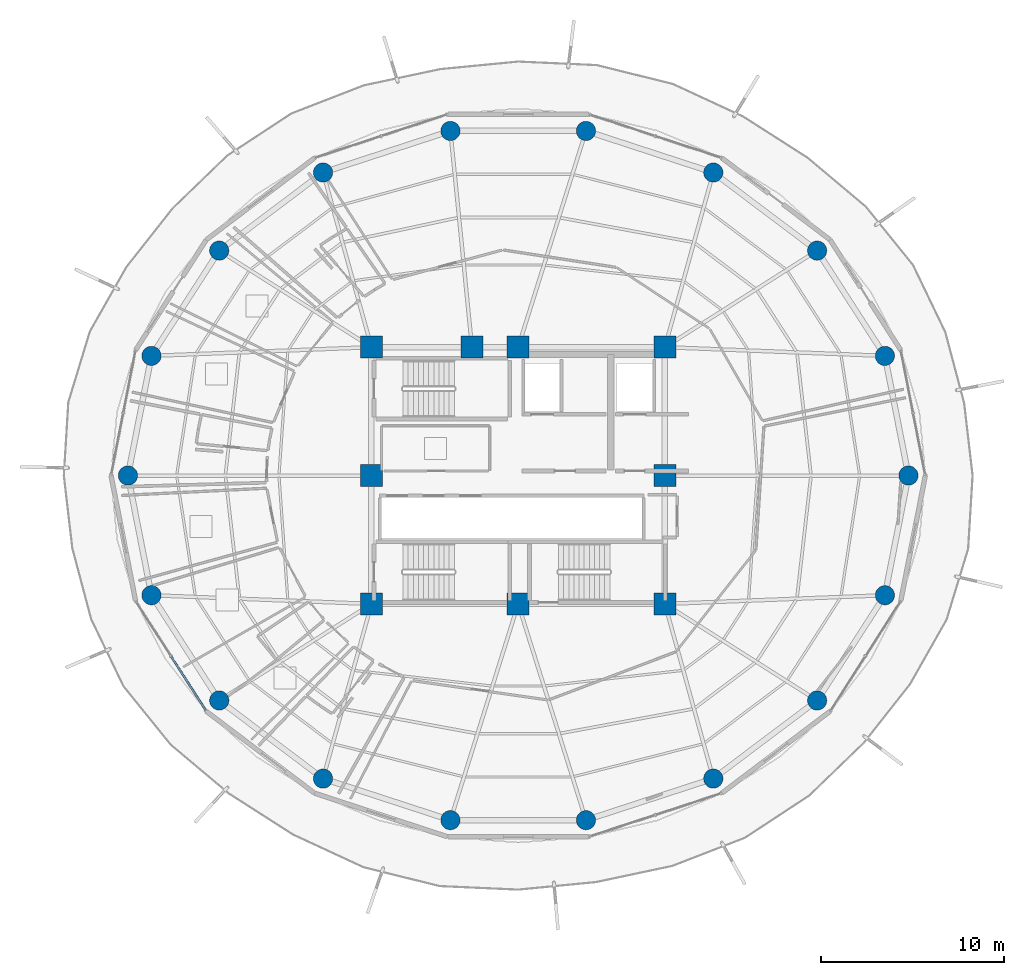
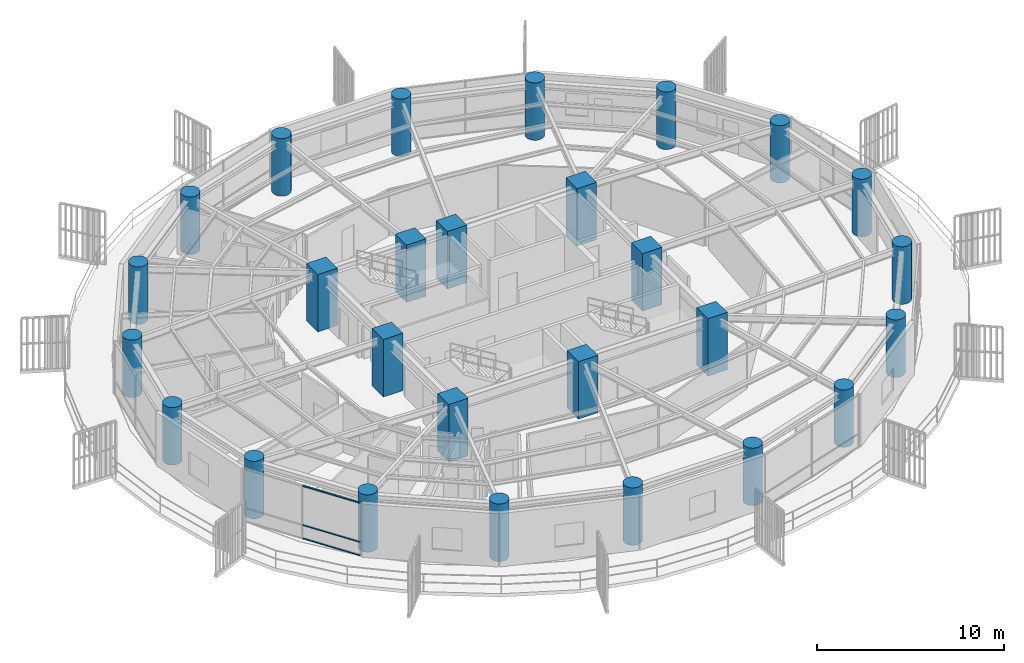
# One storey, part 1 of 30: 27 columns, 3 members, 1 element without a shape of its own.
"""IFC4 building model written with IfcOpenShell, lengths in metres."""

from ifc_helpers import new_model, si_unit, direction, frame, origin, origin_2d, place, context, subcontext, project, spatial, rectangle, hollow_rectangle, circle, extrude, material, layer, layer_set, material_profile, profile_set, type_object, element, aggregate, save


model = new_model("IFC4")

# Units and contexts
model_context = context("Model", 3, precision=1e-05, world=origin(), true_north=direction((0.0, 1.0)))
body_context = subcontext(model_context, "Body", "Model", "MODEL_VIEW")
ifc_project = project(units=[si_unit("LENGTHUNIT", "METRE"), si_unit("AREAUNIT", "SQUARE_METRE"), si_unit("VOLUMEUNIT", "CUBIC_METRE"), si_unit("PLANEANGLEUNIT", "RADIAN"), si_unit("MASSUNIT", "GRAM", prefix="KILO")], contexts=[model_context])

# Site, building, storey
site_placement = place(None, origin())
site = spatial("IfcSite", under=ifc_project, at=site_placement, CompositionType="ELEMENT")
building_placement = place(site_placement, origin())
building = spatial("IfcBuilding", under=site, at=building_placement, Name="Kelanora Arch Commons", CompositionType="ELEMENT")
storey_placement = place(building_placement, frame((0.0, 0.0, 204.449951171875)))
storey = spatial("IfcBuildingStorey", under=building, at=storey_placement, Name="L52", CompositionType="ELEMENT", Elevation=204.449951171875)

# Columns
ifc_material_1 = material(Name="Concrete C50/60", Category="concrete")
ifc_material_profile_1 = material_profile(ifc_material_1, circle(Radius=0.52490234375, at=origin_2d()), Name="RCC1050")
ifc_profile_set_1 = profile_set([ifc_material_profile_1], Name="Concrete C50/60")
column_type_1 = type_object("IfcColumnType", Name="COL-PERIM-Z4", PredefinedType="COLUMN", material=ifc_profile_set_1)
for number, where, z_axis, x_axis, name in (
    (1, (95.280029296875, 58.0, 0.0), (0.0, 0.0, 1.0), (1.0, 0.0, 0.0), "Perimeter Ring Column CP-00 L52"),
    (2, (93.99658203125, 64.525634765625, 0.0), (0.0, 0.0, 1.0), (1.0, 0.0, 0.0), "Perimeter Ring Column CP-02 L52"),
    (3, (90.301513671875, 70.264404296875, 0.0), (0.0, 0.0, 1.0), (1.0, 0.0, 0.0), "Perimeter Ring Column CP-04 L52"),
    (4, (84.639892578125, 74.523681640625, 0.0), (0.0, 0.0, 1.0), (1.0, 0.0, 0.0), "Perimeter Ring Column CP-06 L52"),
    (5, (77.6953125, 76.7900390625, 0.0), (0.0, 0.0, 1.0), (1.0, 0.0, 0.0), "Perimeter Ring Column CP-08 L52"),
    (6, (70.3046875, 76.7900390625, 0.0), (0.0, 0.0, 1.0), (1.0, 0.0, 0.0), "Perimeter Ring Column CP-10 L52"),
    (7, (63.360107421875, 74.523681640625, 0.0), (0.0, 0.0, 1.0), (1.0, 0.0, 0.0), "Perimeter Ring Column CP-12 L52"),
    (8, (57.698486328125, 70.264404296875, 0.0), (0.0, 0.0, 1.0), (1.0, 0.0, 0.0), "Perimeter Ring Column CP-14 L52"),
    (9, (54.00341796875, 64.525634765625, 0.0), (0.0, 0.0, 1.0), (1.0, 0.0, 0.0), "Perimeter Ring Column CP-16 L52"),
    (10, (52.719970703125, 58.0, 0.0), (0.0, 0.0, 1.0), (1.0, 0.0, 0.0), "Perimeter Ring Column CP-18 L52"),
    (11, (54.00341796875, 51.474365234375, 0.0), (0.0, 0.0, 1.0), (1.0, 0.0, 0.0), "Perimeter Ring Column CP-20 L52"),
    (12, (57.698486328125, 45.735595703125, 0.0), (0.0, 0.0, 1.0), (1.0, 0.0, 0.0), "Perimeter Ring Column CP-22 L52"),
    (13, (63.360107421875, 41.476318359375, 0.0), (0.0, 0.0, 1.0), (1.0, 0.0, 0.0), "Perimeter Ring Column CP-24 L52"),
    (14, (70.3046875, 39.2099609375, 0.0), (0.0, 0.0, 1.0), (1.0, 0.0, 0.0), "Perimeter Ring Column CP-26 L52"),
    (15, (77.6953125, 39.2099609375, 0.0), (0.0, 0.0, 1.0), (1.0, 0.0, 0.0), "Perimeter Ring Column CP-28 L52"),
    (16, (84.639892578125, 41.476318359375, 0.0), (0.0, 0.0, 1.0), (1.0, 0.0, 0.0), "Perimeter Ring Column CP-30 L52"),
    (17, (90.301513671875, 45.735595703125, 0.0), (0.0, 0.0, 1.0), (1.0, 0.0, 0.0), "Perimeter Ring Column CP-32 L52"),
    (18, (93.99658203125, 51.474365234375, 0.0), (0.0, 0.0, 1.0), (1.0, 0.0, 0.0), "Perimeter Ring Column CP-34 L52"),
):
    element("IfcColumn", number, at=place(storey_placement, frame(where, z_axis=z_axis, x_axis=x_axis)), inside=storey, type_object=column_type_1, Name=name, PredefinedType="COLUMN", context=body_context, shape_type="SweptSolid", body=[
        extrude(circle(Radius=0.52490234375, at=origin_2d()), origin(), (0.0, 0.0, 1.0), 3.75),
    ])
ifc_material_2 = material(Name="Concrete C60/75", Category="concrete")
ifc_material_profile_2 = material_profile(ifc_material_2, rectangle(XDim=1.199951171875, YDim=1.199951171875, at=origin_2d()), Name="RC1200x1200")
ifc_profile_set_2 = profile_set([ifc_material_profile_2], Name="Concrete C60/75")
column_type_2 = type_object("IfcColumnType", Name="COL-PIL-MID", PredefinedType="PILASTER", material=ifc_profile_set_2)
for number, where, z_axis, x_axis, name in (
    (19, (66.0, 51.0, 0.0), (0.0, 0.0, 1.0), (1.0, 0.0, 0.0), "Core Pilaster Column CP1 L52"),
    (20, (74.0, 51.0, 0.0), (0.0, 0.0, 1.0), (1.0, 0.0, 0.0), "Core Pilaster Column CP2 L52"),
    (21, (82.0, 51.0, 0.0), (0.0, 0.0, 1.0), (1.0, 0.0, 0.0), "Core Pilaster Column CP3 L52"),
    (22, (82.0, 58.0, 0.0), (0.0, 0.0, 1.0), (1.0, 0.0, 0.0), "Core Pilaster Column CP4 L52"),
    (23, (82.0, 65.0, 0.0), (0.0, 0.0, 1.0), (1.0, 0.0, 0.0), "Core Pilaster Column CP5 L52"),
    (24, (74.0, 65.0, 0.0), (0.0, 0.0, 1.0), (1.0, 0.0, 0.0), "Core Pilaster Column CP6 L52"),
    (25, (71.47998046875, 65.0, 0.0), (0.0, 0.0, 1.0), (1.0, 0.0, 0.0), "Core Pilaster Column CP9 L52"),
    (26, (66.0, 65.0, 0.0), (0.0, 0.0, 1.0), (1.0, 0.0, 0.0), "Core Pilaster Column CP7 L52"),
    (27, (66.0, 58.0, 0.0), (0.0, 0.0, 1.0), (1.0, 0.0, 0.0), "Core Pilaster Column CP8 L52"),
):
    element("IfcColumn", number, at=place(storey_placement, frame(where, z_axis=z_axis, x_axis=x_axis)), inside=storey, type_object=column_type_2, Name=name, PredefinedType="PILASTER", context=body_context, shape_type="SweptSolid", body=[
        extrude(rectangle(XDim=1.199951171875, YDim=1.199951171875, at=origin_2d()), origin(), (0.0, 0.0, 1.0), 3.75),
    ])

# Curtain wall, members
ifc_material_3 = material(Name="Terracotta ceramic-fritted low-E glass and aluminium", Category="masonry")
ifc_layer = layer(ifc_material_3, 0.175048828125)
ifc_layer_set = layer_set([ifc_layer], Name="Terracotta ceramic-fritted low-E glass and aluminium")
curtain_wall_type = type_object("IfcCurtainWallType", Name="CW-SYS-02", PredefinedType="NOTDEFINED", material=ifc_layer_set)
curtain_wall_placement = place(storey_placement, origin())
curtain_wall = element("IfcCurtainWall", 28, at=curtain_wall_placement, inside=storey, type_object=curtain_wall_type, Name="Unitised Curtain Wall L52-B10", PredefinedType="NOTDEFINED")
ifc_material_4 = material(Name="Powder-coated aluminium terracotta", Category="masonry")
ifc_material_profile_3 = material_profile(ifc_material_4, hollow_rectangle(XDim=0.1201171875, YDim=0.06005859375, WallThickness=0.0048828125, InnerFilletRadius=0.0048828125, OuterFilletRadius=0.010009765625, at=origin_2d()), Name="CWT120x60")
ifc_profile_set_3 = profile_set([ifc_material_profile_3], Name="Powder-coated aluminium terracotta")
member_type = type_object("IfcMemberType", Name="CWT-STD", PredefinedType="USERDEFINED", material=ifc_profile_set_3)
member_1_placement = place(storey_placement, frame((55.08251953125, 48.126708984375, 0.030029296875), z_axis=(0.53954710894, -0.841955412854, 0.0), x_axis=(0.841955412854, 0.53954710894, 0.0)))
member_1 = element("IfcMember", 29, at=member_1_placement, type_object=member_type, Name="CW-02 transom 2.1", ObjectType="TRANSOM", PredefinedType="USERDEFINED", context=body_context, shape_type="SweptSolid", body=[
    extrude(hollow_rectangle(XDim=0.1201171875, YDim=0.06005859375, WallThickness=0.0048828125, InnerFilletRadius=0.0048828125, OuterFilletRadius=0.010009765625, at=origin_2d()), origin(), (0.0, 0.0, 1.0), 3.467529296875),
])
member_2_placement = place(storey_placement, frame((55.08251953125, 48.126708984375, 0.900146484375), z_axis=(0.53954710894, -0.841955412854, 0.0), x_axis=(0.841955412854, 0.53954710894, 0.0)))
member_2 = element("IfcMember", 30, at=member_2_placement, type_object=member_type, Name="CW-02 transom 2.2", ObjectType="TRANSOM", PredefinedType="USERDEFINED", context=body_context, shape_type="SweptSolid", body=[
    extrude(hollow_rectangle(XDim=0.1201171875, YDim=0.06005859375, WallThickness=0.0048828125, InnerFilletRadius=0.0048828125, OuterFilletRadius=0.010009765625, at=origin_2d()), origin(), (0.0, 0.0, 1.0), 3.467529296875),
])
member_3_placement = place(storey_placement, frame((55.08251953125, 48.126708984375, 3.445068359375), z_axis=(0.53954710894, -0.841955412854, 0.0), x_axis=(0.841955412854, 0.53954710894, 0.0)))
member_3 = element("IfcMember", 31, at=member_3_placement, type_object=member_type, Name="CW-02 transom 2.3", ObjectType="TRANSOM", PredefinedType="USERDEFINED", context=body_context, shape_type="SweptSolid", body=[
    extrude(hollow_rectangle(XDim=0.1201171875, YDim=0.06005859375, WallThickness=0.0048828125, InnerFilletRadius=0.0048828125, OuterFilletRadius=0.010009765625, at=origin_2d()), origin(), (0.0, 0.0, 1.0), 3.467529296875),
])
aggregate(curtain_wall, [member_1, member_2, member_3])

save(model, "model.ifc")
